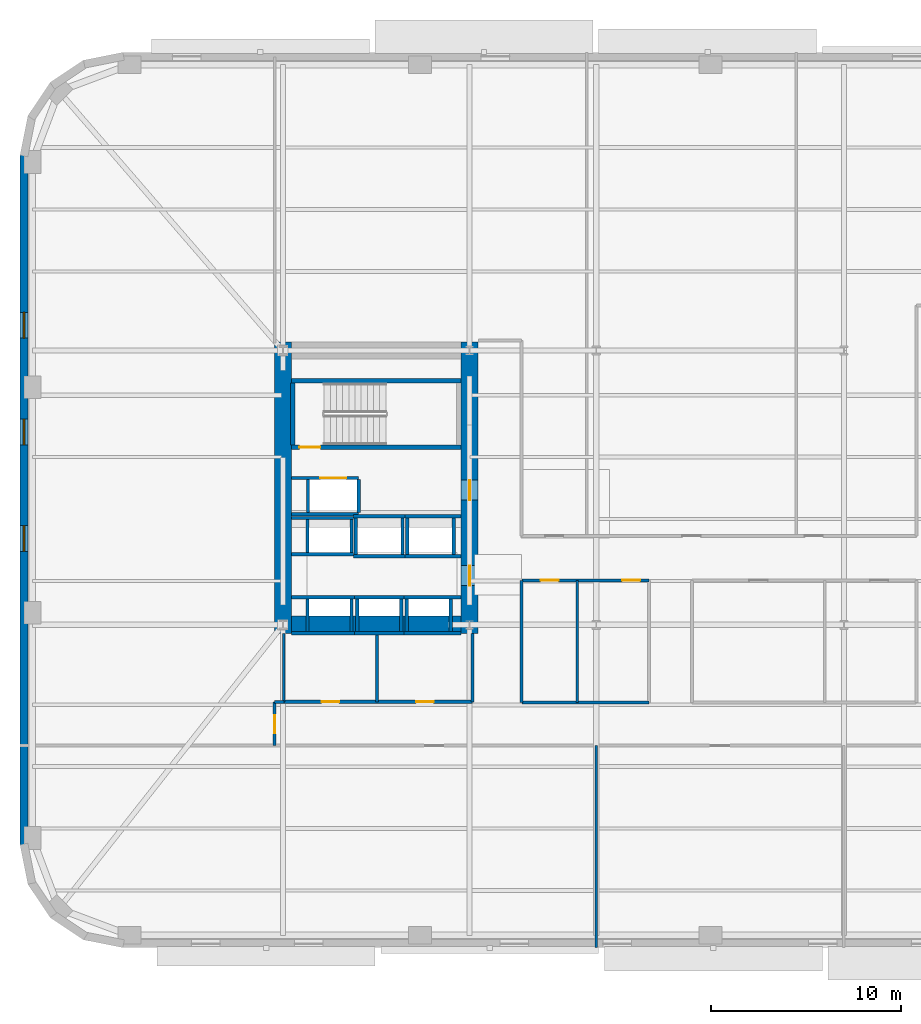
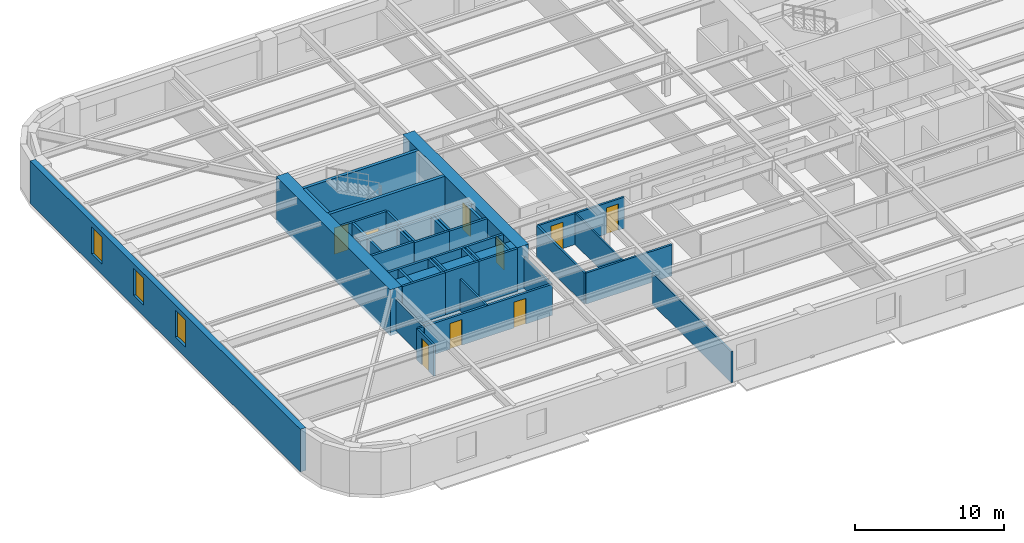
# One storey, part 4 of 14: 46 walls, 9 doors, 3 windows, 12 openings.
"""IFC4 building model written with IfcOpenShell, lengths in metres."""

from ifc_helpers import new_model, si_unit, direction, frame, frame_2d, origin, place, context, subcontext, project, spatial, rectangle, extrude, material, layer, layer_set, type_object, element, fill, save


model = new_model("IFC4")

# Units and contexts
model_context = context("Model", 3, precision=1e-05, world=origin(), true_north=direction((0.0, 1.0)))
body_context = subcontext(model_context, "Body", "Model", "MODEL_VIEW")
ifc_project = project(units=[si_unit("LENGTHUNIT", "METRE"), si_unit("AREAUNIT", "SQUARE_METRE"), si_unit("VOLUMEUNIT", "CUBIC_METRE"), si_unit("PLANEANGLEUNIT", "RADIAN"), si_unit("MASSUNIT", "GRAM", prefix="KILO")], contexts=[model_context])

# Site, building, storey
site_placement = place(None, origin())
site = spatial("IfcSite", under=ifc_project, at=site_placement, CompositionType="ELEMENT")
building_placement = place(site_placement, origin())
building = spatial("IfcBuilding", under=site, at=building_placement, Name="Kolvaren Arena Tower", CompositionType="ELEMENT")
storey_placement = place(building_placement, frame((0.0, 0.0, 79.5)))
storey = spatial("IfcBuildingStorey", under=building, at=storey_placement, Name="L17", CompositionType="ELEMENT", Elevation=79.5)

# Wall, openings, doors
ifc_material_1 = material(Name="Gypsum board acoustic assembly", Category="gypsum")
ifc_layer_1 = layer(ifc_material_1, 0.159912109375)
ifc_layer_set_1 = layer_set([ifc_layer_1], Name="Gypsum board acoustic assembly")
wall_type_1 = type_object("IfcWallType", Name="CORR-160", PredefinedType="PARTITIONING", material=ifc_layer_set_1)
wall_1_placement = place(storey_placement, frame((27.10009765625, 21.780029296875, 0.0), z_axis=(0.0, 0.0, 1.0), x_axis=(1.0, 0.0, 0.0)))
wall_1 = element("IfcWall", 1, at=wall_1_placement, inside=storey, type_object=wall_type_1, Name="Interior Partition Wall (L17)", PredefinedType="PARTITIONING", context=body_context, shape_type="SweptSolid", body=[
    extrude(rectangle(XDim=6.659912109375, YDim=0.159912109375, at=frame_2d((3.330078125, 0.0))), origin(), (0.0, 0.0, 1.0), 2.5400390625),
])
opening_1_placement = place(wall_1_placement, frame((0.97509765625, 0.0, 0.0)))
opening_1 = element("IfcOpeningElement", 2, at=opening_1_placement, cuts=wall_1, Name="Opening D05", PredefinedType="OPENING", context=body_context, shape_type="SweptSolid", body=[
    extrude(rectangle(XDim=0.949951171875, YDim=2.14990234375, at=frame_2d((0.47509765625, 1.074951171875))), frame((0.0, 0.08984375, 0.0), z_axis=(0.0, -1.0, 0.0), x_axis=(1.0, 0.0, 0.0)), (0.0, 0.0, 1.0), 0.179931640625),
])
opening_2_placement = place(wall_1_placement, frame((5.260009765625, 0.0, 0.0)))
opening_2 = element("IfcOpeningElement", 3, at=opening_2_placement, cuts=wall_1, Name="Opening D05", PredefinedType="OPENING", context=body_context, shape_type="SweptSolid", body=[
    extrude(rectangle(XDim=0.949951171875, YDim=2.14990234375, at=frame_2d((0.47509765625, 1.074951171875))), frame((0.0, 0.08984375, 0.0), z_axis=(0.0, -1.0, 0.0), x_axis=(1.0, 0.0, 0.0)), (0.0, 0.0, 1.0), 0.179931640625),
])
ifc_material_2 = material(Name="Solid-core oak acoustic office door", Category="wood")
door_type_1 = type_object("IfcDoorType", Name="DOOR-OF-095", OperationType="NOTDEFINED", PredefinedType="DOOR", material=ifc_material_2)
door_1_placement = place(opening_1_placement, origin())
door_1 = element("IfcDoor", 4, at=door_1_placement, inside=storey, type_object=door_type_1, Name="Open Plan Office Door (L17)", OperationType="SINGLE_SWING_LEFT", OverallHeight=2.14990234375, OverallWidth=0.949951171875, PredefinedType="DOOR", context=body_context, shape_type="SweptSolid", body=[
    extrude(rectangle(XDim=0.949951171875, YDim=2.14990234375, at=frame_2d((0.47509765625, 1.074951171875))), frame((0.0, 0.02490234375, 0.0), z_axis=(0.0, -1.0, 0.0), x_axis=(1.0, 0.0, 0.0)), (0.0, 0.0, 1.0), 0.050048828125),
])
fill(opening_1, door_1)
door_2_placement = place(opening_2_placement, origin())
door_2 = element("IfcDoor", 5, at=door_2_placement, inside=storey, type_object=door_type_1, Name="Open Plan Office Door (L17)", OperationType="SINGLE_SWING_RIGHT", OverallHeight=2.14990234375, OverallWidth=0.949951171875, PredefinedType="DOOR", context=body_context, shape_type="SweptSolid", body=[
    extrude(rectangle(XDim=0.949951171875, YDim=2.14990234375, at=frame_2d((0.47509765625, 1.074951171875))), frame((0.0, 0.02490234375, 0.0), z_axis=(0.0, -1.0, 0.0), x_axis=(1.0, 0.0, 0.0)), (0.0, 0.0, 1.0), 0.050048828125),
])
fill(opening_2, door_2)

# Walls
wall_2_placement = place(storey_placement, frame((27.10009765625, 15.3798828125, 0.0), z_axis=(0.0, 0.0, 1.0), x_axis=(1.0, 0.0, 0.0)))
element("IfcWall", 6, at=wall_2_placement, inside=storey, type_object=wall_type_1, Name="Interior Partition Wall (L17)", PredefinedType="PARTITIONING", context=body_context, shape_type="SweptSolid", body=[
    extrude(rectangle(XDim=6.659912109375, YDim=0.159912109375, at=frame_2d((3.330078125, 0.0))), origin(), (0.0, 0.0, 1.0), 2.5400390625),
])
wall_3_placement = place(storey_placement, frame((27.080078125, 15.3798828125, 0.0), z_axis=(0.0, 0.0, 1.0), x_axis=(0.0, 1.0, 0.0)))
element("IfcWall", 7, at=wall_3_placement, inside=storey, type_object=wall_type_1, Name="Interior Partition Wall (L17)", PredefinedType="PARTITIONING", context=body_context, shape_type="SweptSolid", body=[
    extrude(rectangle(XDim=6.400146484375, YDim=0.159912109375, at=frame_2d((3.2001953125, 0.0))), origin(), (0.0, 0.0, 1.0), 2.5400390625),
])

# Wall, opening, door
wall_4_placement = place(storey_placement, frame((14.1201171875, 13.10009765625, 0.0), z_axis=(0.0, 0.0, 1.0), x_axis=(0.0, 1.0, 0.0)))
wall_4 = element("IfcWall", 8, at=wall_4_placement, inside=storey, type_object=wall_type_1, Name="Interior Partition Wall (L17)", PredefinedType="PARTITIONING", context=body_context, shape_type="SweptSolid", body=[
    extrude(rectangle(XDim=2.2998046875, YDim=0.159912109375, at=frame_2d((1.14990234375, 0.0))), origin(), (0.0, 0.0, 1.0), 2.5400390625),
])
opening_3_placement = place(wall_4_placement, frame((0.64990234375, 0.0, 0.0)))
opening_3 = element("IfcOpeningElement", 9, at=opening_3_placement, cuts=wall_4, Name="Opening D05", PredefinedType="OPENING", context=body_context, shape_type="SweptSolid", body=[
    extrude(rectangle(XDim=0.949951171875, YDim=2.14990234375, at=frame_2d((0.47509765625, 1.074951171875))), frame((0.0, 0.08984375, 0.0), z_axis=(0.0, -1.0, 0.0), x_axis=(1.0, 0.0, 0.0)), (0.0, 0.0, 1.0), 0.179931640625),
])
door_3_placement = place(opening_3_placement, origin())
door_3 = element("IfcDoor", 10, at=door_3_placement, inside=storey, type_object=door_type_1, Name="West Wing Office Door (L17)", OperationType="SINGLE_SWING_LEFT", OverallHeight=2.14990234375, OverallWidth=0.949951171875, PredefinedType="DOOR", context=body_context, shape_type="SweptSolid", body=[
    extrude(rectangle(XDim=0.949951171875, YDim=2.14990234375, at=frame_2d((0.47509765625, 1.074951171875))), frame((0.0, 0.02490234375, 0.0), z_axis=(0.0, -1.0, 0.0), x_axis=(1.0, 0.0, 0.0)), (0.0, 0.0, 1.0), 0.050048828125),
])
fill(opening_3, door_3)

# Walls
wall_5_placement = place(storey_placement, frame((14.1201171875, 15.39990234375, 0.0), z_axis=(0.0, 0.0, 1.0), x_axis=(1.0, 0.0, 0.0)))
element("IfcWall", 11, at=wall_5_placement, inside=storey, type_object=wall_type_1, Name="Interior Partition Wall (L17)", PredefinedType="PARTITIONING", context=body_context, shape_type="SweptSolid", body=[
    extrude(rectangle(XDim=0.5, YDim=0.159912109375, at=frame_2d((0.25, 0.0))), origin(), (0.0, 0.0, 1.0), 2.5400390625),
])
ifc_material_3 = material(Name="Concrete 80 MPa", Category="concrete")
ifc_layer_2 = layer(ifc_material_3, 0.89990234375)
ifc_layer_set_2 = layer_set([ifc_layer_2], Name="Concrete 80 MPa")
wall_type_2 = type_object("IfcWallType", Name="CWALL-900", PredefinedType="SHEAR", material=ifc_layer_set_2)
wall_6_placement = place(storey_placement, frame((14.550048828125, 19.0, -0.27001953125), z_axis=(0.0, 0.0, 1.0), x_axis=(0.0, 1.0, 0.0)))
element("IfcWall", 12, at=wall_6_placement, inside=storey, type_object=wall_type_2, Name="Core Shear Wall WC-WEST (L17)", PredefinedType="SHEAR", context=body_context, shape_type="SweptSolid", body=[
    extrude(rectangle(XDim=15.300048828125, YDim=0.89990234375, at=frame_2d((7.64990234375, 0.0))), origin(), (0.0, 0.0, 1.0), 3.75),
])

# Wall, openings, doors
wall_7_placement = place(storey_placement, frame((24.35009765625, 19.0, -0.27001953125), z_axis=(0.0, 0.0, 1.0), x_axis=(0.0, 1.0, 0.0)))
wall_7 = element("IfcWall", 13, at=wall_7_placement, inside=storey, type_object=wall_type_2, Name="Core Shear Wall WC-EAST (L17)", PredefinedType="SHEAR", context=body_context, shape_type="SweptSolid", body=[
    extrude(rectangle(XDim=15.300048828125, YDim=0.89990234375, at=frame_2d((7.64990234375, 0.0))), origin(), (0.0, 0.0, 1.0), 3.75),
])
opening_4_placement = place(wall_7_placement, frame((2.5, 0.0, 0.27001953125)))
opening_4 = element("IfcOpeningElement", 14, at=opening_4_placement, cuts=wall_7, Name="Opening D04", PredefinedType="OPENING", context=body_context, shape_type="SweptSolid", body=[
    extrude(rectangle(XDim=1.050048828125, YDim=2.14990234375, at=frame_2d((0.52490234375, 1.074951171875))), frame((0.0, 0.4599609375, 0.0), z_axis=(0.0, -1.0, 0.0), x_axis=(1.0, 0.0, 0.0)), (0.0, 0.0, 1.0), 0.919921875),
])
opening_5_placement = place(wall_7_placement, frame((7.0, 0.0, 0.27001953125)))
opening_5 = element("IfcOpeningElement", 15, at=opening_5_placement, cuts=wall_7, Name="Opening D04", PredefinedType="OPENING", context=body_context, shape_type="SweptSolid", body=[
    extrude(rectangle(XDim=1.050048828125, YDim=2.14990234375, at=frame_2d((0.52490234375, 1.074951171875))), frame((0.0, 0.4599609375, 0.0), z_axis=(0.0, -1.0, 0.0), x_axis=(1.0, 0.0, 0.0)), (0.0, 0.0, 1.0), 0.919921875),
])
ifc_material_4 = material(Name="Fire-rated steel lobby door", Category="steel")
door_type_2 = type_object("IfcDoorType", Name="DOOR-FF-105", OperationType="NOTDEFINED", PredefinedType="DOOR", material=ifc_material_4)
door_4_placement = place(opening_4_placement, origin())
door_4 = element("IfcDoor", 16, at=door_4_placement, inside=storey, type_object=door_type_2, Name="West Lift Lobby Fire Door (L17)", OperationType="SINGLE_SWING_LEFT", OverallHeight=2.14990234375, OverallWidth=1.050048828125, PredefinedType="DOOR", context=body_context, shape_type="SweptSolid", body=[
    extrude(rectangle(XDim=1.050048828125, YDim=2.14990234375, at=frame_2d((0.52490234375, 1.074951171875))), frame((0.0, 0.02490234375, 0.0), z_axis=(0.0, -1.0, 0.0), x_axis=(1.0, 0.0, 0.0)), (0.0, 0.0, 1.0), 0.050048828125),
])
fill(opening_4, door_4)
door_5_placement = place(opening_5_placement, origin())
door_5 = element("IfcDoor", 17, at=door_5_placement, inside=storey, type_object=door_type_2, Name="West Firefighter Vestibule Door (L17)", OperationType="SINGLE_SWING_RIGHT", OverallHeight=2.14990234375, OverallWidth=1.050048828125, PredefinedType="DOOR", context=body_context, shape_type="SweptSolid", body=[
    extrude(rectangle(XDim=1.050048828125, YDim=2.14990234375, at=frame_2d((0.52490234375, 1.074951171875))), frame((0.0, 0.02490234375, 0.0), z_axis=(0.0, -1.0, 0.0), x_axis=(1.0, 0.0, 0.0)), (0.0, 0.0, 1.0), 0.050048828125),
])
fill(opening_5, door_5)

# Wall
wall_8_placement = place(storey_placement, frame((15.0, 19.449951171875, -0.27001953125), z_axis=(0.0, 0.0, 1.0), x_axis=(1.0, 0.0, 0.0)))
element("IfcWall", 18, at=wall_8_placement, inside=storey, type_object=wall_type_2, Name="Core Shear Wall WC-SOUTH (L17)", PredefinedType="SHEAR", context=body_context, shape_type="SweptSolid", body=[
    extrude(rectangle(XDim=8.89990234375, YDim=0.89990234375, at=frame_2d((4.449951171875, 0.0))), origin(), (0.0, 0.0, 1.0), 3.75),
])

# Wall, openings, windows
ifc_material_5 = material(Name="Precast concrete C50/60", Category="concrete")
ifc_layer_3 = layer(ifc_material_5, 0.419921875)
ifc_layer_set_3 = layer_set([ifc_layer_3], Name="Precast concrete C50/60")
wall_type_3 = type_object("IfcWallType", Name="EXT-PIER1", PredefinedType="SOLIDWALL", material=ifc_layer_set_3)
wall_9_placement = place(storey_placement, frame((0.9599609375, 7.89990234375, 0.0), z_axis=(0.0, 0.0, 1.0), x_axis=(0.0, 1.0, 0.0)))
wall_9 = element("IfcWall", 19, at=wall_9_placement, inside=storey, type_object=wall_type_3, Name="Exterior Precast Masonry-Frame Wall (L17)", PredefinedType="SOLIDWALL", context=body_context, shape_type="SweptSolid", body=[
    extrude(rectangle(XDim=36.2001953125, YDim=0.419921875, at=frame_2d((18.10009765625, 0.0))), origin(), (0.0, 0.0, 1.0), 3.47998046875),
])
opening_6_placement = place(wall_9_placement, frame((15.39990234375, 0.0, 0.8798828125)))
opening_6 = element("IfcOpeningElement", 20, at=opening_6_placement, cuts=wall_9, Name="Opening W04", PredefinedType="OPENING", context=body_context, shape_type="SweptSolid", body=[
    extrude(rectangle(XDim=1.35009765625, YDim=2.199951171875, at=frame_2d((0.675048828125, 1.10009765625))), frame((0.0, 0.219970703125, 0.0), z_axis=(0.0, -1.0, 0.0), x_axis=(1.0, 0.0, 0.0)), (0.0, 0.0, 1.0), 0.43994140625),
])
opening_7_placement = place(wall_9_placement, frame((21.0, 0.0, 0.8798828125)))
opening_7 = element("IfcOpeningElement", 21, at=opening_7_placement, cuts=wall_9, Name="Opening W04", PredefinedType="OPENING", context=body_context, shape_type="SweptSolid", body=[
    extrude(rectangle(XDim=1.35009765625, YDim=2.199951171875, at=frame_2d((0.675048828125, 1.10009765625))), frame((0.0, 0.219970703125, 0.0), z_axis=(0.0, -1.0, 0.0), x_axis=(1.0, 0.0, 0.0)), (0.0, 0.0, 1.0), 0.43994140625),
])
opening_8_placement = place(wall_9_placement, frame((26.60009765625, 0.0, 0.8798828125)))
opening_8 = element("IfcOpeningElement", 22, at=opening_8_placement, cuts=wall_9, Name="Opening W04", PredefinedType="OPENING", context=body_context, shape_type="SweptSolid", body=[
    extrude(rectangle(XDim=1.35009765625, YDim=2.199951171875, at=frame_2d((0.675048828125, 1.10009765625))), frame((0.0, 0.219970703125, 0.0), z_axis=(0.0, -1.0, 0.0), x_axis=(1.0, 0.0, 0.0)), (0.0, 0.0, 1.0), 0.43994140625),
])
ifc_material_6 = material(Name="Triple-glazed curved-facet corner window", Category="glass")
window_type = type_object("IfcWindowType", Name="WIN-CRN-A", PartitioningType="SINGLE_PANEL", PredefinedType="WINDOW", material=ifc_material_6)
window_1_placement = place(opening_6_placement, origin())
window_1 = element("IfcWindow", 23, at=window_1_placement, inside=storey, type_object=window_type, Name="End-Wall Punched Window (L17)", OverallHeight=2.199951171875, OverallWidth=1.35009765625, PartitioningType="SINGLE_PANEL", PredefinedType="WINDOW", context=body_context, shape_type="SweptSolid", body=[
    extrude(rectangle(XDim=1.35009765625, YDim=2.199951171875, at=frame_2d((0.675048828125, 1.10009765625))), frame((0.0, 0.030029296875, 0.0), z_axis=(0.0, -1.0, 0.0), x_axis=(1.0, 0.0, 0.0)), (0.0, 0.0, 1.0), 0.06005859375),
])
fill(opening_6, window_1)
window_2_placement = place(opening_7_placement, origin())
window_2 = element("IfcWindow", 24, at=window_2_placement, inside=storey, type_object=window_type, Name="End-Wall Punched Window (L17)", OverallHeight=2.199951171875, OverallWidth=1.35009765625, PartitioningType="SINGLE_PANEL", PredefinedType="WINDOW", context=body_context, shape_type="SweptSolid", body=[
    extrude(rectangle(XDim=1.35009765625, YDim=2.199951171875, at=frame_2d((0.675048828125, 1.10009765625))), frame((0.0, 0.030029296875, 0.0), z_axis=(0.0, -1.0, 0.0), x_axis=(1.0, 0.0, 0.0)), (0.0, 0.0, 1.0), 0.06005859375),
])
fill(opening_7, window_2)
window_3_placement = place(opening_8_placement, origin())
window_3 = element("IfcWindow", 25, at=window_3_placement, inside=storey, type_object=window_type, Name="End-Wall Punched Window (L17)", OverallHeight=2.199951171875, OverallWidth=1.35009765625, PartitioningType="SINGLE_PANEL", PredefinedType="WINDOW", context=body_context, shape_type="SweptSolid", body=[
    extrude(rectangle(XDim=1.35009765625, YDim=2.199951171875, at=frame_2d((0.675048828125, 1.10009765625))), frame((0.0, 0.030029296875, 0.0), z_axis=(0.0, -1.0, 0.0), x_axis=(1.0, 0.0, 0.0)), (0.0, 0.0, 1.0), 0.06005859375),
])
fill(opening_8, window_3)

# Walls
ifc_material_7 = material(Name="Gypsum board partition assembly", Category="gypsum")
ifc_layer_4 = layer(ifc_material_7, 0.114990234375)
ifc_layer_set_4 = layer_set([ifc_layer_4], Name="Gypsum board partition assembly")
wall_type_4 = type_object("IfcWallType", Name="PART-115", PredefinedType="PARTITIONING", material=ifc_layer_set_4)
wall_10_placement = place(storey_placement, frame((30.0, 15.3798828125, 0.0), z_axis=(0.0, 0.0, 1.0), x_axis=(0.0, 1.0, 0.0)))
element("IfcWall", 26, at=wall_10_placement, inside=storey, type_object=wall_type_4, Name="Interior Partition Wall (L17)", PredefinedType="PARTITIONING", context=body_context, shape_type="SweptSolid", body=[
    extrude(rectangle(XDim=6.400146484375, YDim=0.114990234375, at=frame_2d((3.2001953125, 0.0))), origin(), (0.0, 0.0, 1.0), 2.5400390625),
])
ifc_layer_5 = layer(ifc_material_7, 0.135009765625)
ifc_layer_set_5 = layer_set([ifc_layer_5], Name="Gypsum board partition assembly")
wall_type_5 = type_object("IfcWallType", Name="PART-135", PredefinedType="PARTITIONING", material=ifc_layer_set_5)
wall_11_placement = place(storey_placement, frame((31.0, 2.5, 0.0), z_axis=(0.0, 0.0, 1.0), x_axis=(0.0, 1.0, 0.0)))
element("IfcWall", 27, at=wall_11_placement, inside=storey, type_object=wall_type_5, Name="Interior Partition Wall (L17)", PredefinedType="PARTITIONING", context=body_context, shape_type="SweptSolid", body=[
    extrude(rectangle(XDim=10.60009765625, YDim=0.135009765625, at=frame_2d((5.300048828125, 0.0))), origin(), (0.0, 0.0, 1.0), 2.5400390625),
])

# Wall, opening, door
ifc_material_8 = material(Name="Concrete 45 MPa", Category="concrete")
ifc_layer_6 = layer(ifc_material_8, 0.25)
ifc_layer_set_6 = layer_set([ifc_layer_6], Name="Concrete 45 MPa")
wall_type_6 = type_object("IfcWallType", Name="SHAFT-250", PredefinedType="SOLIDWALL", material=ifc_layer_set_6)
wall_12_placement = place(storey_placement, frame((23.89990234375, 28.780029296875, 0.0), z_axis=(0.0, 0.0, 1.0), x_axis=(-1.0, 0.0, 0.0)))
wall_12 = element("IfcWall", 28, at=wall_12_placement, inside=storey, type_object=wall_type_6, Name="Core Shaft Wall (L17)", PredefinedType="SOLIDWALL", context=body_context, shape_type="SweptSolid", body=[
    extrude(rectangle(XDim=8.89990234375, YDim=0.239990234375, at=frame_2d((4.449951171875, 0.0))), origin(), (0.0, 0.0, 1.0), 3.47998046875),
])
opening_9_placement = place(wall_12_placement, frame((7.3798828125, 0.0, 0.0)))
opening_9 = element("IfcOpeningElement", 29, at=opening_9_placement, cuts=wall_12, Name="Opening D03", PredefinedType="OPENING", context=body_context, shape_type="SweptSolid", body=[
    extrude(rectangle(XDim=1.10009765625, YDim=2.14990234375, at=frame_2d((0.550048828125, 1.074951171875))), frame((0.0, 0.1298828125, 0.0), z_axis=(0.0, -1.0, 0.0), x_axis=(1.0, 0.0, 0.0)), (0.0, 0.0, 1.0), 0.260009765625),
])
ifc_material_9 = material(Name="Fire-rated steel exit stair door", Category="steel")
door_type_3 = type_object("IfcDoorType", Name="DOOR-ST-110", OperationType="NOTDEFINED", PredefinedType="DOOR", material=ifc_material_9)
door_6_placement = place(opening_9_placement, origin())
door_6 = element("IfcDoor", 30, at=door_6_placement, inside=storey, type_object=door_type_3, Name="Stair ST-W1 Fire Door (L17)", OperationType="SINGLE_SWING_RIGHT", OverallHeight=2.14990234375, OverallWidth=1.10009765625, PredefinedType="DOOR", context=body_context, shape_type="SweptSolid", body=[
    extrude(rectangle(XDim=1.10009765625, YDim=2.14990234375, at=frame_2d((0.550048828125, 1.074951171875))), frame((0.0, 0.02490234375, 0.0), z_axis=(0.0, -1.0, 0.0), x_axis=(1.0, 0.0, 0.0)), (0.0, 0.0, 1.0), 0.050048828125),
])
fill(opening_9, door_6)

# Walls
wall_13_placement = place(storey_placement, frame((15.0, 32.25, 0.0), z_axis=(0.0, 0.0, 1.0), x_axis=(1.0, 0.0, 0.0)))
element("IfcWall", 31, at=wall_13_placement, inside=storey, type_object=wall_type_6, Name="Core Shaft Wall (L17)", PredefinedType="SOLIDWALL", context=body_context, shape_type="SweptSolid", body=[
    extrude(rectangle(XDim=8.89990234375, YDim=0.239990234375, at=frame_2d((4.449951171875, 0.0))), origin(), (0.0, 0.0, 1.0), 3.47998046875),
])
wall_14_placement = place(storey_placement, frame((15.06005859375, 28.89990234375, 0.0), z_axis=(0.0, 0.0, 1.0), x_axis=(0.0, 1.0, 0.0)))
element("IfcWall", 32, at=wall_14_placement, inside=storey, type_object=wall_type_6, Name="Core Shaft Wall (L17)", PredefinedType="SOLIDWALL", context=body_context, shape_type="SweptSolid", body=[
    extrude(rectangle(XDim=3.22998046875, YDim=0.239990234375, at=frame_2d((1.614990234375, 0.0))), origin(), (0.0, 0.0, 1.0), 3.47998046875),
])
for number, where, z_axis, x_axis, name in (
    (33, (15.0, 20.905029296875, 0.0), (0.0, 0.0, 1.0), (1.0, 0.0, 0.0), "Core Shaft Wall (L17)"),
    (34, (15.0, 18.9951171875, 0.0), (0.0, 0.0, 1.0), (1.0, 0.0, 0.0), "Core Shaft Wall (L17)"),
):
    element("IfcWall", number, at=place(storey_placement, frame(where, z_axis=z_axis, x_axis=x_axis)), inside=storey, type_object=wall_type_6, Name=name, PredefinedType="SOLIDWALL", context=body_context, shape_type="SweptSolid", body=[
        extrude(rectangle(XDim=3.300048828125, YDim=0.179931640625, at=frame_2d((1.64990234375, 0.0))), origin(), (0.0, 0.0, 1.0), 3.47998046875),
    ])
for number, where, z_axis, x_axis, name in (
    (35, (15.844970703125, 19.0849609375, 0.0), (0.0, 0.0, 1.0), (0.0, 1.0, 0.0), "Core Shaft Wall (L17)"),
    (36, (18.155029296875, 19.0849609375, 0.0), (0.0, 0.0, 1.0), (0.0, 1.0, 0.0), "Core Shaft Wall (L17)"),
):
    element("IfcWall", number, at=place(storey_placement, frame(where, z_axis=z_axis, x_axis=x_axis)), inside=storey, type_object=wall_type_6, Name=name, PredefinedType="SOLIDWALL", context=body_context, shape_type="SweptSolid", body=[
        extrude(rectangle(XDim=1.72998046875, YDim=0.179931640625, at=frame_2d((0.864990234375, 0.0))), origin(), (0.0, 0.0, 1.0), 3.47998046875),
    ])
for number, where, z_axis, x_axis, name in (
    (37, (18.300048828125, 20.905029296875, 0.0), (0.0, 0.0, 1.0), (1.0, 0.0, 0.0), "Core Shaft Wall (L17)"),
    (38, (18.300048828125, 18.9951171875, 0.0), (0.0, 0.0, 1.0), (1.0, 0.0, 0.0), "Core Shaft Wall (L17)"),
):
    element("IfcWall", number, at=place(storey_placement, frame(where, z_axis=z_axis, x_axis=x_axis)), inside=storey, type_object=wall_type_6, Name=name, PredefinedType="SOLIDWALL", context=body_context, shape_type="SweptSolid", body=[
        extrude(rectangle(XDim=2.599853515625, YDim=0.179931640625, at=frame_2d((1.2998046875, 0.0))), origin(), (0.0, 0.0, 1.0), 3.47998046875),
    ])
for number, where, z_axis, x_axis, name in (
    (39, (18.445068359375, 19.0849609375, 0.0), (0.0, 0.0, 1.0), (0.0, 1.0, 0.0), "Core Shaft Wall (L17)"),
    (40, (20.7548828125, 19.0849609375, 0.0), (0.0, 0.0, 1.0), (0.0, 1.0, 0.0), "Core Shaft Wall (L17)"),
):
    element("IfcWall", number, at=place(storey_placement, frame(where, z_axis=z_axis, x_axis=x_axis)), inside=storey, type_object=wall_type_6, Name=name, PredefinedType="SOLIDWALL", context=body_context, shape_type="SweptSolid", body=[
        extrude(rectangle(XDim=1.72998046875, YDim=0.179931640625, at=frame_2d((0.864990234375, 0.0))), origin(), (0.0, 0.0, 1.0), 3.47998046875),
    ])
for number, where, z_axis, x_axis, name in (
    (41, (20.89990234375, 20.905029296875, 0.0), (0.0, 0.0, 1.0), (1.0, 0.0, 0.0), "Core Shaft Wall (L17)"),
    (42, (20.89990234375, 18.9951171875, 0.0), (0.0, 0.0, 1.0), (1.0, 0.0, 0.0), "Core Shaft Wall (L17)"),
):
    element("IfcWall", number, at=place(storey_placement, frame(where, z_axis=z_axis, x_axis=x_axis)), inside=storey, type_object=wall_type_6, Name=name, PredefinedType="SOLIDWALL", context=body_context, shape_type="SweptSolid", body=[
        extrude(rectangle(XDim=3.0, YDim=0.179931640625, at=frame_2d((1.5, 0.0))), origin(), (0.0, 0.0, 1.0), 3.47998046875),
    ])
for number, where, z_axis, x_axis, name in (
    (43, (21.044921875, 19.0849609375, 0.0), (0.0, 0.0, 1.0), (0.0, 1.0, 0.0), "Core Shaft Wall (L17)"),
    (44, (23.35498046875, 19.0849609375, 0.0), (0.0, 0.0, 1.0), (0.0, 1.0, 0.0), "Core Shaft Wall (L17)"),
):
    element("IfcWall", number, at=place(storey_placement, frame(where, z_axis=z_axis, x_axis=x_axis)), inside=storey, type_object=wall_type_6, Name=name, PredefinedType="SOLIDWALL", context=body_context, shape_type="SweptSolid", body=[
        extrude(rectangle(XDim=1.72998046875, YDim=0.179931640625, at=frame_2d((0.864990234375, 0.0))), origin(), (0.0, 0.0, 1.0), 3.47998046875),
    ])
for number, where, z_axis, x_axis, name in (
    (45, (15.0, 25.054931640625, 0.0), (0.0, 0.0, 1.0), (1.0, 0.0, 0.0), "Core Shaft Wall (L17)"),
    (46, (15.0, 23.14501953125, 0.0), (0.0, 0.0, 1.0), (1.0, 0.0, 0.0), "Core Shaft Wall (L17)"),
):
    element("IfcWall", number, at=place(storey_placement, frame(where, z_axis=z_axis, x_axis=x_axis)), inside=storey, type_object=wall_type_6, Name=name, PredefinedType="SOLIDWALL", context=body_context, shape_type="SweptSolid", body=[
        extrude(rectangle(XDim=3.262451171875, YDim=0.179931640625, at=frame_2d((1.63134765625, 0.0))), origin(), (0.0, 0.0, 1.0), 3.47998046875),
    ])
for number, where, z_axis, x_axis, name in (
    (47, (15.844970703125, 23.235107421875, 0.0), (0.0, 0.0, 1.0), (0.0, 1.0, 0.0), "Core Shaft Wall (L17)"),
    (48, (18.155029296875, 23.235107421875, 0.0), (0.0, 0.0, 1.0), (0.0, 1.0, 0.0), "Core Shaft Wall (L17)"),
):
    element("IfcWall", number, at=place(storey_placement, frame(where, z_axis=z_axis, x_axis=x_axis)), inside=storey, type_object=wall_type_6, Name=name, PredefinedType="SOLIDWALL", context=body_context, shape_type="SweptSolid", body=[
        extrude(rectangle(XDim=1.72998046875, YDim=0.179931640625, at=frame_2d((0.864990234375, 0.0))), origin(), (0.0, 0.0, 1.0), 3.47998046875),
    ])
for number, where, z_axis, x_axis, name in (
    (49, (18.262451171875, 25.155029296875, 0.0), (0.0, 0.0, 1.0), (1.0, 0.0, 0.0), "Core Shaft Wall (L17)"),
    (50, (18.262451171875, 23.044921875, 0.0), (0.0, 0.0, 1.0), (1.0, 0.0, 0.0), "Core Shaft Wall (L17)"),
):
    element("IfcWall", number, at=place(storey_placement, frame(where, z_axis=z_axis, x_axis=x_axis)), inside=storey, type_object=wall_type_6, Name=name, PredefinedType="SOLIDWALL", context=body_context, shape_type="SweptSolid", body=[
        extrude(rectangle(XDim=2.6875, YDim=0.179931640625, at=frame_2d((1.34375, 0.0))), origin(), (0.0, 0.0, 1.0), 3.47998046875),
    ])
for number, where, z_axis, x_axis, name in (
    (51, (18.3701171875, 23.135009765625, 0.0), (0.0, 0.0, 1.0), (0.0, 1.0, 0.0), "Core Shaft Wall (L17)"),
    (52, (20.830078125, 23.135009765625, 0.0), (0.0, 0.0, 1.0), (0.0, 1.0, 0.0), "Core Shaft Wall (L17)"),
):
    element("IfcWall", number, at=place(storey_placement, frame(where, z_axis=z_axis, x_axis=x_axis)), inside=storey, type_object=wall_type_6, Name=name, PredefinedType="SOLIDWALL", context=body_context, shape_type="SweptSolid", body=[
        extrude(rectangle(XDim=1.929931640625, YDim=0.179931640625, at=frame_2d((0.96484375, 0.0))), origin(), (0.0, 0.0, 1.0), 3.47998046875),
    ])
for number, where, z_axis, x_axis, name in (
    (53, (20.949951171875, 25.155029296875, 0.0), (0.0, 0.0, 1.0), (1.0, 0.0, 0.0), "Core Shaft Wall (L17)"),
    (54, (20.949951171875, 23.044921875, 0.0), (0.0, 0.0, 1.0), (1.0, 0.0, 0.0), "Core Shaft Wall (L17)"),
):
    element("IfcWall", number, at=place(storey_placement, frame(where, z_axis=z_axis, x_axis=x_axis)), inside=storey, type_object=wall_type_6, Name=name, PredefinedType="SOLIDWALL", context=body_context, shape_type="SweptSolid", body=[
        extrude(rectangle(XDim=2.949951171875, YDim=0.179931640625, at=frame_2d((1.47509765625, 0.0))), origin(), (0.0, 0.0, 1.0), 3.47998046875),
    ])
for number, where, z_axis, x_axis, name in (
    (55, (21.070068359375, 23.135009765625, 0.0), (0.0, 0.0, 1.0), (0.0, 1.0, 0.0), "Core Shaft Wall (L17)"),
    (56, (23.530029296875, 23.135009765625, 0.0), (0.0, 0.0, 1.0), (0.0, 1.0, 0.0), "Core Shaft Wall (L17)"),
):
    element("IfcWall", number, at=place(storey_placement, frame(where, z_axis=z_axis, x_axis=x_axis)), inside=storey, type_object=wall_type_6, Name=name, PredefinedType="SOLIDWALL", context=body_context, shape_type="SweptSolid", body=[
        extrude(rectangle(XDim=1.929931640625, YDim=0.179931640625, at=frame_2d((0.96484375, 0.0))), origin(), (0.0, 0.0, 1.0), 3.47998046875),
    ])

# Wall, opening, door
wall_15_placement = place(storey_placement, frame((15.0, 27.155029296875, 0.0), z_axis=(0.0, 0.0, 1.0), x_axis=(1.0, 0.0, 0.0)))
wall_15 = element("IfcWall", 57, at=wall_15_placement, inside=storey, type_object=wall_type_6, Name="Core Shaft Wall (L17)", PredefinedType="SOLIDWALL", context=body_context, shape_type="SweptSolid", body=[
    extrude(rectangle(XDim=3.530029296875, YDim=0.179931640625, at=frame_2d((1.76513671875, 0.0))), origin(), (0.0, 0.0, 1.0), 3.47998046875),
])
opening_10_placement = place(wall_15_placement, frame((1.52490234375, 0.0, 0.0)))
opening_10 = element("IfcOpeningElement", 58, at=opening_10_placement, cuts=wall_15, Name="Opening LD2", PredefinedType="OPENING", context=body_context, shape_type="SweptSolid", body=[
    extrude(rectangle(XDim=1.35009765625, YDim=2.300048828125, at=frame_2d((0.675048828125, 1.14990234375))), frame((0.0, 0.099853515625, 0.0), z_axis=(0.0, -1.0, 0.0), x_axis=(1.0, 0.0, 0.0)), (0.0, 0.0, 1.0), 0.199951171875),
])
ifc_material_10 = material(Name="Stainless steel firefighter lift landing door", Category="steel")
door_type_4 = type_object("IfcDoorType", Name="DOOR-LD-135", OperationType="DOUBLE_DOOR_SLIDING", PredefinedType="DOOR", material=ifc_material_10)
door_7_placement = place(opening_10_placement, origin())
door_7 = element("IfcDoor", 59, at=door_7_placement, inside=storey, type_object=door_type_4, Name="Firefighter Lift FF-W1 Landing Door (L17)", OperationType="DOUBLE_DOOR_SLIDING", OverallHeight=2.300048828125, OverallWidth=1.35009765625, PredefinedType="DOOR", context=body_context, shape_type="SweptSolid", body=[
    extrude(rectangle(XDim=1.35009765625, YDim=2.300048828125, at=frame_2d((0.675048828125, 1.14990234375))), frame((0.0, 0.02490234375, 0.0), z_axis=(0.0, -1.0, 0.0), x_axis=(1.0, 0.0, 0.0)), (0.0, 0.0, 1.0), 0.050048828125),
])
fill(opening_10, door_7)

# Walls
wall_16_placement = place(storey_placement, frame((15.0, 25.2451171875, 0.0), z_axis=(0.0, 0.0, 1.0), x_axis=(1.0, 0.0, 0.0)))
element("IfcWall", 60, at=wall_16_placement, inside=storey, type_object=wall_type_6, Name="Core Shaft Wall (L17)", PredefinedType="SOLIDWALL", context=body_context, shape_type="SweptSolid", body=[
    extrude(rectangle(XDim=3.530029296875, YDim=0.179931640625, at=frame_2d((1.76513671875, 0.0))), origin(), (0.0, 0.0, 1.0), 3.47998046875),
])
for number, where, z_axis, x_axis, name in (
    (61, (15.8701171875, 25.3349609375, 0.0), (0.0, 0.0, 1.0), (0.0, 1.0, 0.0), "Core Shaft Wall (L17)"),
    (62, (18.530029296875, 25.3349609375, 0.0), (0.0, 0.0, 1.0), (0.0, 1.0, 0.0), "Core Shaft Wall (L17)"),
):
    element("IfcWall", number, at=place(storey_placement, frame(where, z_axis=z_axis, x_axis=x_axis)), inside=storey, type_object=wall_type_6, Name=name, PredefinedType="SOLIDWALL", context=body_context, shape_type="SweptSolid", body=[
        extrude(rectangle(XDim=1.72998046875, YDim=0.179931640625, at=frame_2d((0.864990234375, 0.0))), origin(), (0.0, 0.0, 1.0), 3.47998046875),
    ])
ifc_material_11 = material(Name="Moisture-resistant gypsum assembly", Category="gypsum")
ifc_layer_7 = layer(ifc_material_11, 0.14990234375)
ifc_layer_set_7 = layer_set([ifc_layer_7], Name="Moisture-resistant gypsum assembly")
wall_type_7 = type_object("IfcWallType", Name="WETW-150", PredefinedType="PARTITIONING", material=ifc_layer_set_7)
wall_17_placement = place(storey_placement, frame((19.5, 15.39990234375, 0.0), z_axis=(0.0, 0.0, 1.0), x_axis=(0.0, 1.0, 0.0)))
element("IfcWall", 63, at=wall_17_placement, inside=storey, type_object=wall_type_7, Name="Interior Partition Wall (L17)", PredefinedType="PARTITIONING", context=body_context, shape_type="SweptSolid", body=[
    extrude(rectangle(XDim=3.580078125, YDim=0.14990234375, at=frame_2d((1.7900390625, 0.0))), origin(), (0.0, 0.0, 1.0), 2.5400390625),
])

# Wall, openings, doors
wall_18_placement = place(storey_placement, frame((14.60009765625, 15.39990234375, 0.0), z_axis=(0.0, 0.0, 1.0), x_axis=(1.0, 0.0, 0.0)))
wall_18 = element("IfcWall", 64, at=wall_18_placement, inside=storey, type_object=wall_type_7, Name="Interior Partition Wall (L17)", PredefinedType="PARTITIONING", context=body_context, shape_type="SweptSolid", body=[
    extrude(rectangle(XDim=9.89990234375, YDim=0.179931640625, at=frame_2d((4.949951171875, 0.0))), origin(), (0.0, 0.0, 1.0), 2.5400390625),
])
opening_11_placement = place(wall_18_placement, frame((1.989990234375, 0.0, 0.0)))
opening_11 = element("IfcOpeningElement", 65, at=opening_11_placement, cuts=wall_18, Name="Opening D07", PredefinedType="OPENING", context=body_context, shape_type="SweptSolid", body=[
    extrude(rectangle(XDim=0.919921875, YDim=2.10009765625, at=frame_2d((0.4599609375, 1.050048828125))), frame((0.0, 0.099853515625, 0.0), z_axis=(0.0, -1.0, 0.0), x_axis=(1.0, 0.0, 0.0)), (0.0, 0.0, 1.0), 0.199951171875),
])
opening_12_placement = place(wall_18_placement, frame((6.93994140625, 0.0, 0.0)))
opening_12 = element("IfcOpeningElement", 66, at=opening_12_placement, cuts=wall_18, Name="Opening D07", PredefinedType="OPENING", context=body_context, shape_type="SweptSolid", body=[
    extrude(rectangle(XDim=0.919921875, YDim=2.10009765625, at=frame_2d((0.4599609375, 1.050048828125))), frame((0.0, 0.099853515625, 0.0), z_axis=(0.0, -1.0, 0.0), x_axis=(1.0, 0.0, 0.0)), (0.0, 0.0, 1.0), 0.199951171875),
])
ifc_material_12 = material(Name="Laminate universal washroom door", Category="wood")
door_type_5 = type_object("IfcDoorType", Name="DOOR-WC-092", OperationType="NOTDEFINED", PredefinedType="DOOR", material=ifc_material_12)
door_8_placement = place(opening_11_placement, origin())
door_8 = element("IfcDoor", 67, at=door_8_placement, inside=storey, type_object=door_type_5, Name="Universal Barrier-Free Washroom Door (L17)", OperationType="SINGLE_SWING_LEFT", OverallHeight=2.10009765625, OverallWidth=0.919921875, PredefinedType="DOOR", context=body_context, shape_type="SweptSolid", body=[
    extrude(rectangle(XDim=0.919921875, YDim=2.10009765625, at=frame_2d((0.4599609375, 1.050048828125))), frame((0.0, 0.02490234375, 0.0), z_axis=(0.0, -1.0, 0.0), x_axis=(1.0, 0.0, 0.0)), (0.0, 0.0, 1.0), 0.050048828125),
])
fill(opening_11, door_8)
door_9_placement = place(opening_12_placement, origin())
door_9 = element("IfcDoor", 68, at=door_9_placement, inside=storey, type_object=door_type_5, Name="Gender-Neutral Washroom Door (L17)", OperationType="SINGLE_SWING_RIGHT", OverallHeight=2.10009765625, OverallWidth=0.919921875, PredefinedType="DOOR", context=body_context, shape_type="SweptSolid", body=[
    extrude(rectangle(XDim=0.919921875, YDim=2.10009765625, at=frame_2d((0.4599609375, 1.050048828125))), frame((0.0, 0.02490234375, 0.0), z_axis=(0.0, -1.0, 0.0), x_axis=(1.0, 0.0, 0.0)), (0.0, 0.0, 1.0), 0.050048828125),
])
fill(opening_12, door_9)

# Walls
for number, where, z_axis, x_axis, name in (
    (69, (14.60009765625, 15.39990234375, 0.0), (0.0, 0.0, 1.0), (0.0, 1.0, 0.0), "Interior Partition Wall (L17)"),
    (70, (24.5, 15.39990234375, 0.0), (0.0, 0.0, 1.0), (0.0, 1.0, 0.0), "Interior Partition Wall (L17)"),
):
    element("IfcWall", number, at=place(storey_placement, frame(where, z_axis=z_axis, x_axis=x_axis)), inside=storey, type_object=wall_type_7, Name=name, PredefinedType="PARTITIONING", context=body_context, shape_type="SweptSolid", body=[
        extrude(rectangle(XDim=3.580078125, YDim=0.14990234375, at=frame_2d((1.7900390625, 0.0))), origin(), (0.0, 0.0, 1.0), 2.5400390625),
    ])

save(model, "model.ifc")
